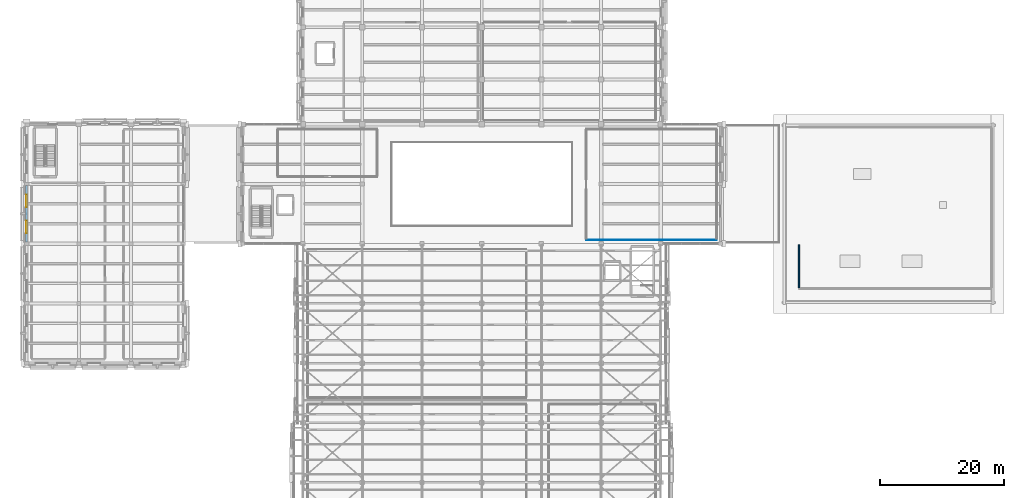
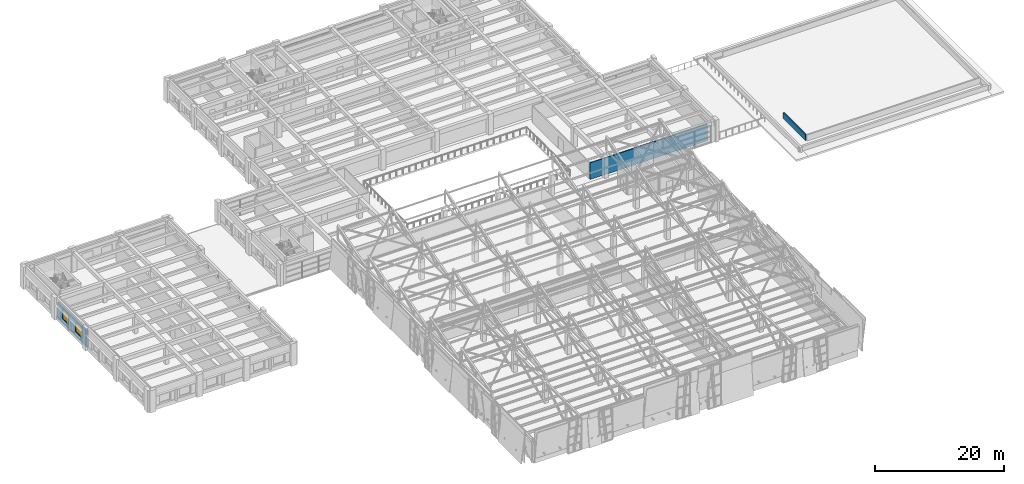
# One storey, part 57 of 71: 3 walls, 2 windows, 2 openings.
"""IFC4 building model written with IfcOpenShell, lengths in metres."""

from ifc_helpers import new_model, si_unit, direction, frame, frame_2d, origin, place, context, subcontext, project, spatial, rectangle, extrude, material, layer, layer_set, type_object, element, fill, save


model = new_model("IFC4")

# Units and contexts
model_context = context("Model", 3, precision=1e-05, world=origin(), true_north=direction((0.0, 1.0)))
body_context = subcontext(model_context, "Body", "Model", "MODEL_VIEW")
ifc_project = project(units=[si_unit("LENGTHUNIT", "METRE"), si_unit("AREAUNIT", "SQUARE_METRE"), si_unit("VOLUMEUNIT", "CUBIC_METRE"), si_unit("PLANEANGLEUNIT", "RADIAN"), si_unit("MASSUNIT", "GRAM", prefix="KILO")], contexts=[model_context])

# Site, building, storey
site_placement = place(None, origin())
site = spatial("IfcSite", under=ifc_project, at=site_placement, CompositionType="ELEMENT")
building_placement = place(site_placement, origin())
building = spatial("IfcBuilding", under=site, at=building_placement, Name="Bempovik Park Faculty of Sciences", CompositionType="ELEMENT")
storey_placement = place(building_placement, frame((0.0, 0.0, 14.10009765625)))
storey = spatial("IfcBuildingStorey", under=building, at=storey_placement, Name="L03", CompositionType="ELEMENT", Elevation=14.10009765625)

# Walls
ifc_material_1 = material(Name="Precast concrete C40/50", Category="concrete")
ifc_layer_1 = layer(ifc_material_1, 0.239990234375)
ifc_layer_set_1 = layer_set([ifc_layer_1], Name="Precast concrete C40/50")
wall_type_1 = type_object("IfcWallType", Name="W-36 Wall 240mm", PredefinedType="PARAPET", material=ifc_layer_set_1)
wall_1_placement = place(storey_placement, frame((139.800048828125, 60.719970703125, 0.0), z_axis=(0.0, 0.0, 1.0), x_axis=(0.0, 1.0, 0.0)))
element("IfcWall", 1, at=wall_1_placement, inside=storey, type_object=wall_type_1, Name="Roof Parapet PR-V3-W1", PredefinedType="PARAPET", context=body_context, shape_type="SweptSolid", body=[
    extrude(rectangle(XDim=6.880126953125, YDim=0.239990234375, at=frame_2d((3.43994140625, 0.0))), origin(), (0.0, 0.0, 1.0), 1.14990234375),
])
ifc_material_2 = material(Name="Gypsum acoustic stud assembly")
ifc_layer_2 = layer(ifc_material_2, 0.14990234375)
ifc_layer_set_2 = layer_set([ifc_layer_2], Name="Gypsum acoustic stud assembly")
wall_type_2 = type_object("IfcWallType", Name="W-42 Wall 150mm", PredefinedType="PARTITIONING", material=ifc_layer_set_2)
wall_2_placement = place(storey_placement, frame((105.60009765625, 68.39990234375, 0.0), z_axis=(0.0, 0.0, 1.0), x_axis=(1.0, 0.0, 0.0)))
element("IfcWall", 2, at=wall_2_placement, inside=storey, type_object=wall_type_2, Name="L03 East Terrace Reading Lounge Partition South", PredefinedType="PARTITIONING", context=body_context, shape_type="SweptSolid", body=[
    extrude(rectangle(XDim=21.0, YDim=0.14990234375, at=frame_2d((10.5, 0.0))), origin(), (0.0, 0.0, 1.0), 3.14990234375),
])

# Wall, openings, windows
ifc_layer_3 = layer(ifc_material_1, 0.320068359375)
ifc_layer_set_3 = layer_set([ifc_layer_3], Name="Precast concrete C40/50")
wall_type_3 = type_object("IfcWallType", Name="W-56 Wall 320mm", PredefinedType="SOLIDWALL", material=ifc_layer_set_3)
wall_3_placement = place(storey_placement, frame((15.60009765625, 68.072021484375, 0.0), z_axis=(0.0, 0.0, 1.0), x_axis=(0.0, 1.0, 0.0)))
wall_3 = element("IfcWall", 3, at=wall_3_placement, inside=storey, type_object=wall_type_3, Name="L03 Classical Precast Facade Wall EW-L03-9279", PredefinedType="SOLIDWALL", context=body_context, shape_type="SweptSolid", body=[
    extrude(rectangle(XDim=9.055908203125, YDim=0.320068359375, at=frame_2d((4.52783203125, 0.0))), origin(), (0.0, 0.0, 1.0), 3.079833984375),
])
opening_1_placement = place(wall_3_placement, frame((1.445068359375, 0.0, 0.85009765625)))
opening_1 = element("IfcOpeningElement", 4, at=opening_1_placement, cuts=wall_3, Name="Opening WN-68", PredefinedType="OPENING", context=body_context, shape_type="SweptSolid", body=[
    extrude(rectangle(XDim=2.0, YDim=1.89990234375, at=frame_2d((1.0, 0.949951171875))), frame((0.0, 0.169921875, 0.0), z_axis=(0.0, -1.0, 0.0), x_axis=(1.0, 0.0, 0.0)), (0.0, 0.0, 1.0), 0.340087890625),
])
opening_2_placement = place(wall_3_placement, frame((5.61083984375, 0.0, 0.85009765625)))
opening_2 = element("IfcOpeningElement", 5, at=opening_2_placement, cuts=wall_3, Name="Opening WN-68", PredefinedType="OPENING", context=body_context, shape_type="SweptSolid", body=[
    extrude(rectangle(XDim=2.0, YDim=1.89990234375, at=frame_2d((1.0, 0.949951171875))), frame((0.0, 0.169921875, 0.0), z_axis=(0.0, -1.0, 0.0), x_axis=(1.0, 0.0, 0.0)), (0.0, 0.0, 1.0), 0.340087890625),
])
ifc_material_3 = material(Name="Tempered laminated low-E glass", Category="glass")
window_type = type_object("IfcWindowType", Name="WN-68 Window 2000x1900", PartitioningType="SINGLE_PANEL", PredefinedType="WINDOW", material=ifc_material_3)
window_1_placement = place(opening_1_placement, origin())
window_1 = element("IfcWindow", 6, at=window_1_placement, inside=storey, type_object=window_type, Name="L03 Window EW-L03-9279-1", OverallHeight=1.89990234375, OverallWidth=2.0, PartitioningType="SINGLE_PANEL", PredefinedType="WINDOW", context=body_context, shape_type="SweptSolid", body=[
    extrude(rectangle(XDim=2.0, YDim=1.89990234375, at=frame_2d((1.0, 0.949951171875))), frame((0.0, 0.030029296875, 0.0), z_axis=(0.0, -1.0, 0.0), x_axis=(1.0, 0.0, 0.0)), (0.0, 0.0, 1.0), 0.06005859375),
])
fill(opening_1, window_1)
window_2_placement = place(opening_2_placement, origin())
window_2 = element("IfcWindow", 7, at=window_2_placement, inside=storey, type_object=window_type, Name="L03 Window EW-L03-9279-2", OverallHeight=1.89990234375, OverallWidth=2.0, PartitioningType="SINGLE_PANEL", PredefinedType="WINDOW", context=body_context, shape_type="SweptSolid", body=[
    extrude(rectangle(XDim=2.0, YDim=1.89990234375, at=frame_2d((1.0, 0.949951171875))), frame((0.0, 0.030029296875, 0.0), z_axis=(0.0, -1.0, 0.0), x_axis=(1.0, 0.0, 0.0)), (0.0, 0.0, 1.0), 0.06005859375),
])
fill(opening_2, window_2)

save(model, "model.ifc")
